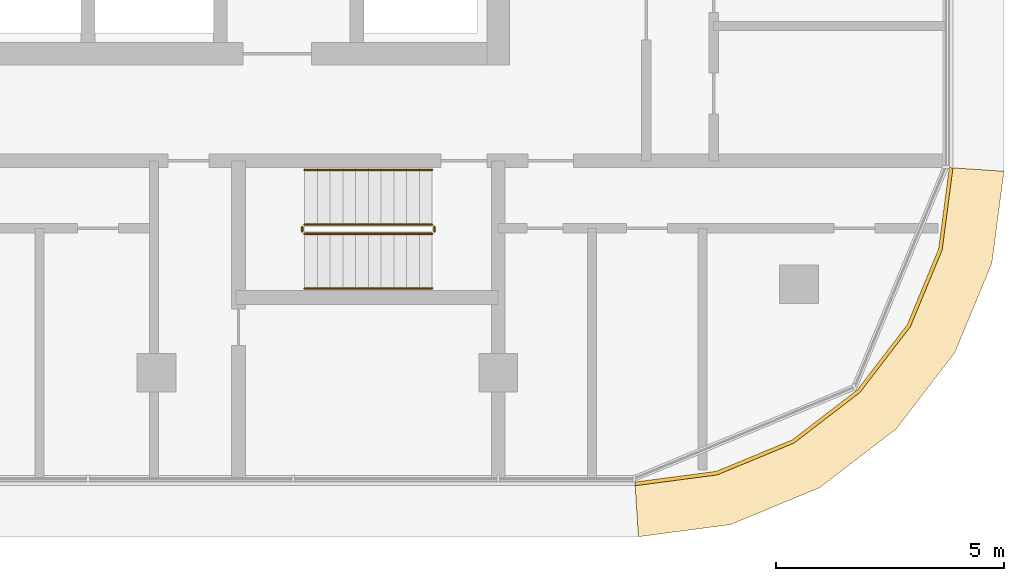
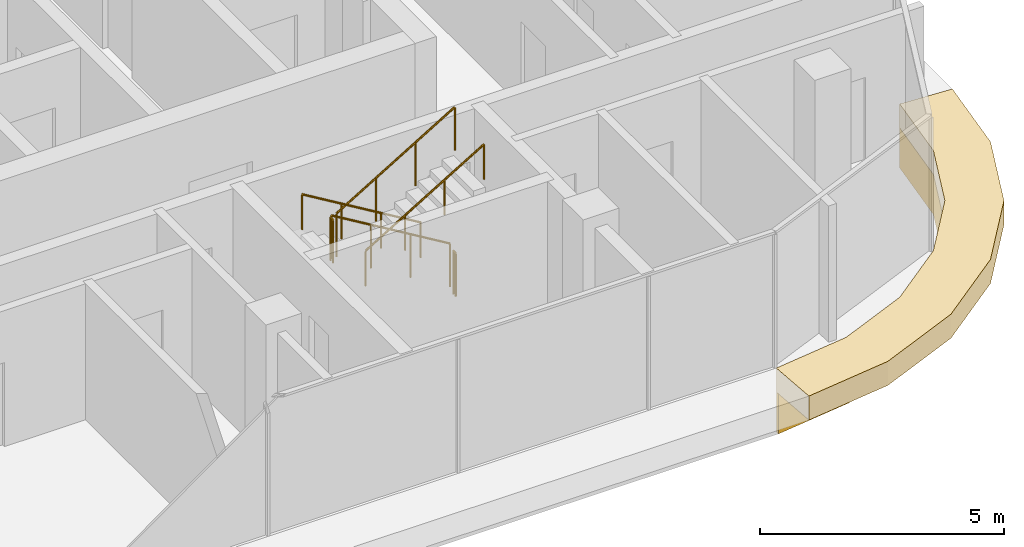
# One storey, part 35 of 36: 6 railings, 2 coverings.
"""IFC4 building model written with IfcOpenShell, lengths in metres."""

from ifc_helpers import new_model, si_unit, direction, frame, origin, origin_2d, place, context, subcontext, project, spatial, polyline, circle, outline, extrude, material, layer, layer_set, type_object, element, save


model = new_model("IFC4")

# Units and contexts
model_context = context("Model", 3, precision=1e-05, world=origin(), true_north=direction((0.0, 1.0)))
body_context = subcontext(model_context, "Body", "Model", "MODEL_VIEW")
ifc_project = project(units=[si_unit("LENGTHUNIT", "METRE"), si_unit("AREAUNIT", "SQUARE_METRE"), si_unit("VOLUMEUNIT", "CUBIC_METRE"), si_unit("PLANEANGLEUNIT", "RADIAN"), si_unit("MASSUNIT", "GRAM", prefix="KILO")], contexts=[model_context])

# Site, building, storey
site_placement = place(None, origin())
site = spatial("IfcSite", under=ifc_project, at=site_placement, CompositionType="ELEMENT")
building_placement = place(site_placement, origin())
building = spatial("IfcBuilding", under=site, at=building_placement, Name="Ogive Portal Towers", CompositionType="ELEMENT")
storey_placement = place(building_placement, frame((0.0, 0.0, 63.10009765625)))
storey = spatial("IfcBuildingStorey", under=building, at=storey_placement, Name="L14", CompositionType="ELEMENT", Elevation=63.10009765625)

# Railings
ifc_material_1 = material(Name="Stainless steel balustrade", Category="steel")
railing_type_1 = type_object("IfcRailingType", Name="INT-GUARD", PredefinedType="GUARDRAIL", material=ifc_material_1)
railing_1_placement = place(storey_placement, frame((142.550048828125, 20.75, 0.16796875)))
element("IfcRailing", 1, at=railing_1_placement, inside=storey, type_object=railing_type_1, Name="L14 ST-B2 stair guard 1", PredefinedType="GUARDRAIL", context=body_context, shape_type="SweptSolid", body=[
    extrude(circle(Radius=0.02392578125, at=origin_2d()), frame((0.0, 0.0, 1.076171875), z_axis=(-0.857242210791, 0.0, 0.514913383045), x_axis=(0.0, -1.0, 0.0)), (0.0, 0.0, 1.0), 3.266357421875),
    extrude(circle(Radius=0.02099609375, at=origin_2d()), origin(), (0.0, 0.0, 1.0), 1.052001953125),
    extrude(circle(Radius=0.02099609375, at=origin_2d()), frame((-0.933349609375, 0.0, 0.560546875)), (0.0, 0.0, 1.0), 1.052001953125),
    extrude(circle(Radius=0.02099609375, at=origin_2d()), frame((-1.86669921875, 0.0, 1.121337890625)), (0.0, 0.0, 1.0), 1.052001953125),
    extrude(circle(Radius=0.02099609375, at=origin_2d()), frame((-2.800048828125, 0.0, 1.681884765625)), (0.0, 0.0, 1.0), 1.052001953125),
])
railing_2_placement = place(storey_placement, frame((139.699951171875, 20.699951171875, 1.849853515625)))
element("IfcRailing", 2, at=railing_2_placement, inside=storey, type_object=railing_type_1, Name="L14 ST-B2 stair guard 2", PredefinedType="GUARDRAIL", context=body_context, shape_type="SweptSolid", body=[
    extrude(circle(Radius=0.02392578125, at=origin_2d()), frame((0.0, 0.0, 1.076171875), z_axis=(0.0, -1.0, 0.0), x_axis=(1.0, 0.0, 0.0)), (0.0, 0.0, 1.0), 0.099853515625),
    extrude(circle(Radius=0.02099609375, at=origin_2d()), origin(), (0.0, 0.0, 1.0), 1.052001953125),
    extrude(circle(Radius=0.02099609375, at=origin_2d()), frame((0.0, -0.099853515625, 0.0)), (0.0, 0.0, 1.0), 1.052001953125),
])
railing_3_placement = place(storey_placement, frame((139.75, 20.550048828125, 2.01806640625)))
element("IfcRailing", 3, at=railing_3_placement, inside=storey, type_object=railing_type_1, Name="L14 ST-B2 stair guard 3", PredefinedType="GUARDRAIL", context=body_context, shape_type="SweptSolid", body=[
    extrude(circle(Radius=0.02392578125, at=origin_2d()), frame((0.0, 0.0, 1.076171875), z_axis=(0.857242210791, 0.0, 0.514913383045), x_axis=(0.0, 1.0, 0.0)), (0.0, 0.0, 1.0), 3.266357421875),
    extrude(circle(Radius=0.02099609375, at=origin_2d()), origin(), (0.0, 0.0, 1.0), 1.052001953125),
    extrude(circle(Radius=0.02099609375, at=origin_2d()), frame((0.933349609375, 0.0, 0.560546875)), (0.0, 0.0, 1.0), 1.052001953125),
    extrude(circle(Radius=0.02099609375, at=origin_2d()), frame((1.86669921875, 0.0, 1.121337890625)), (0.0, 0.0, 1.0), 1.052001953125),
    extrude(circle(Radius=0.02099609375, at=origin_2d()), frame((2.800048828125, 0.0, 1.681884765625)), (0.0, 0.0, 1.0), 1.052001953125),
])
railing_4_placement = place(storey_placement, frame((142.60009765625, 20.699951171875, 0.0)))
element("IfcRailing", 4, at=railing_4_placement, inside=storey, type_object=railing_type_1, Name="L14 ST-B2 stair guard 4", PredefinedType="GUARDRAIL", context=body_context, shape_type="SweptSolid", body=[
    extrude(circle(Radius=0.02392578125, at=origin_2d()), frame((0.0, 0.0, 1.076171875), z_axis=(0.0, -1.0, 0.0), x_axis=(1.0, 0.0, 0.0)), (0.0, 0.0, 1.0), 0.099853515625),
    extrude(circle(Radius=0.02099609375, at=origin_2d()), origin(), (0.0, 0.0, 1.0), 1.052001953125),
    extrude(circle(Radius=0.02099609375, at=origin_2d()), frame((0.0, -0.099853515625, 0.0)), (0.0, 0.0, 1.0), 1.052001953125),
])
ifc_material_2 = material(Name="Stainless steel handrail", Category="steel")
railing_type_2 = type_object("IfcRailingType", Name="INT-HANDRAIL", PredefinedType="HANDRAIL", material=ifc_material_2)
railing_5_placement = place(storey_placement, frame((142.550048828125, 21.949951171875, 0.16796875)))
element("IfcRailing", 5, at=railing_5_placement, inside=storey, type_object=railing_type_2, Name="L14 ST-B2 stair handrail 1", PredefinedType="HANDRAIL", context=body_context, shape_type="SweptSolid", body=[
    extrude(circle(Radius=0.02392578125, at=origin_2d()), frame((0.0, 0.0, 0.8759765625), z_axis=(-0.857242210791, 0.0, 0.514913383045), x_axis=(0.0, -1.0, 0.0)), (0.0, 0.0, 1.0), 3.266357421875),
    extrude(circle(Radius=0.02099609375, at=origin_2d()), origin(), (0.0, 0.0, 1.0), 0.851806640625),
    extrude(circle(Radius=0.02099609375, at=origin_2d()), frame((-0.933349609375, 0.0, 0.560546875)), (0.0, 0.0, 1.0), 0.851806640625),
    extrude(circle(Radius=0.02099609375, at=origin_2d()), frame((-1.86669921875, 0.0, 1.121337890625)), (0.0, 0.0, 1.0), 0.851806640625),
    extrude(circle(Radius=0.02099609375, at=origin_2d()), frame((-2.800048828125, 0.0, 1.681884765625)), (0.0, 0.0, 1.0), 0.851806640625),
])
railing_6_placement = place(storey_placement, frame((139.75, 19.35009765625, 2.01806640625)))
element("IfcRailing", 6, at=railing_6_placement, inside=storey, type_object=railing_type_2, Name="L14 ST-B2 stair handrail 2", PredefinedType="HANDRAIL", context=body_context, shape_type="SweptSolid", body=[
    extrude(circle(Radius=0.02392578125, at=origin_2d()), frame((0.0, 0.0, 0.8759765625), z_axis=(0.857242210791, 0.0, 0.514913383045), x_axis=(0.0, 1.0, 0.0)), (0.0, 0.0, 1.0), 3.266357421875),
    extrude(circle(Radius=0.02099609375, at=origin_2d()), origin(), (0.0, 0.0, 1.0), 0.851806640625),
    extrude(circle(Radius=0.02099609375, at=origin_2d()), frame((0.933349609375, 0.0, 0.560546875)), (0.0, 0.0, 1.0), 0.851806640625),
    extrude(circle(Radius=0.02099609375, at=origin_2d()), frame((1.86669921875, 0.0, 1.121337890625)), (0.0, 0.0, 1.0), 0.851806640625),
    extrude(circle(Radius=0.02099609375, at=origin_2d()), frame((2.800048828125, 0.0, 1.681884765625)), (0.0, 0.0, 1.0), 0.851806640625),
])

# Coverings
ifc_material_3 = material(Name="Limestone cladding on lightweight block wall", Category="masonry")
ifc_layer_1 = layer(ifc_material_3, 0.080078125)
ifc_layer_set_1 = layer_set([ifc_layer_1], Name="STONE SPANDREL 80")
covering_type_1 = type_object("IfcCoveringType", Name="STONE SPANDREL 80", PredefinedType="CLADDING", material=ifc_layer_set_1)
covering_1_placement = place(storey_placement, frame((0.0, 0.0, -1.60009765625)))
element("IfcCovering", 7, at=covering_1_placement, inside=storey, type_object=covering_type_1, Name="Stone spandrel B1-F03", PredefinedType="CLADDING", context=body_context, shape_type="SweptSolid", body=[
    extrude(outline(polyline([(147.0, 15.10009765625), (148.785888671875, 15.335205078125), (150.449951171875, 16.0244140625), (151.879150390625, 17.120849609375), (152.9755859375, 18.550048828125), (153.664794921875, 20.214111328125), (153.89990234375, 22.0), (153.97998046875, 21.994873046875), (153.742919921875, 20.193359375), (153.04541015625, 18.509765625), (151.93603515625, 17.06396484375), (150.490234375, 15.95458984375), (148.806640625, 15.257080078125), (147.005126953125, 15.02001953125), (147.0, 15.10009765625)])), origin(), (0.0, 0.0, 1.0), 1.0),
])
ifc_layer_2 = layer(ifc_material_3, 0.60009765625)
ifc_layer_set_2 = layer_set([ifc_layer_2], Name="SUNSHADE LIP 600")
covering_type_2 = type_object("IfcCoveringType", Name="SUNSHADE LIP 600", PredefinedType="CLADDING", material=ifc_layer_set_2)
covering_2_placement = place(storey_placement, frame((0.0, 0.0, -0.60009765625)))
element("IfcCovering", 8, at=covering_2_placement, inside=storey, type_object=covering_type_2, Name="Sunshade lip B1-F03", PredefinedType="CLADDING", context=body_context, shape_type="SweptSolid", body=[
    extrude(outline(polyline([(147.0, 15.10009765625), (148.785888671875, 15.335205078125), (150.449951171875, 16.0244140625), (151.879150390625, 17.120849609375), (152.9755859375, 18.550048828125), (153.664794921875, 20.214111328125), (153.89990234375, 22.0), (155.10009765625, 21.92138671875), (154.833984375, 19.90087890625), (154.023681640625, 17.94482421875), (152.73486328125, 16.26513671875), (151.05517578125, 14.976318359375), (149.09912109375, 14.166015625), (147.07861328125, 13.89990234375), (147.0, 15.10009765625)])), origin(), (0.0, 0.0, 1.0), 0.60009765625),
])

save(model, "model.ifc")
